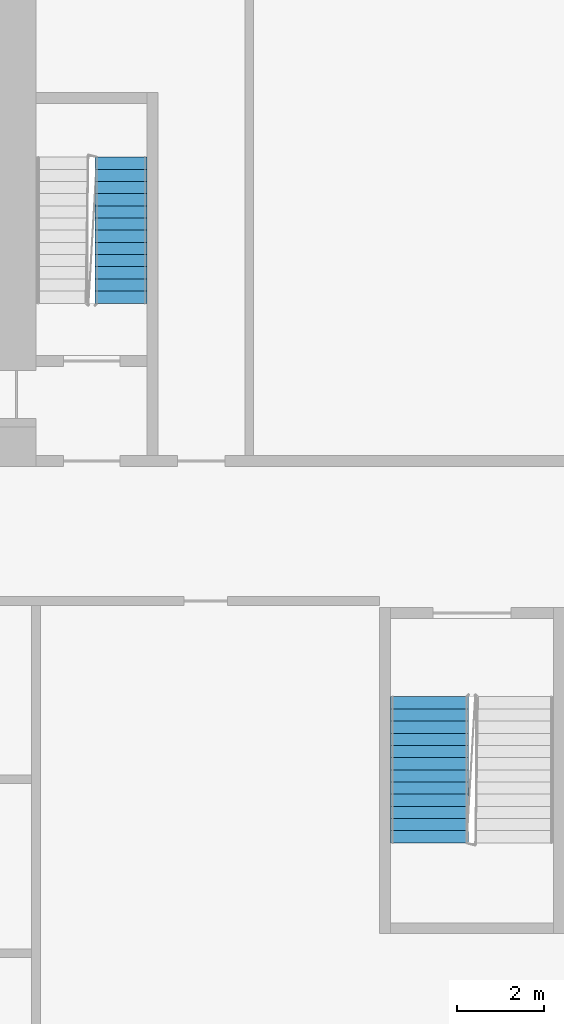
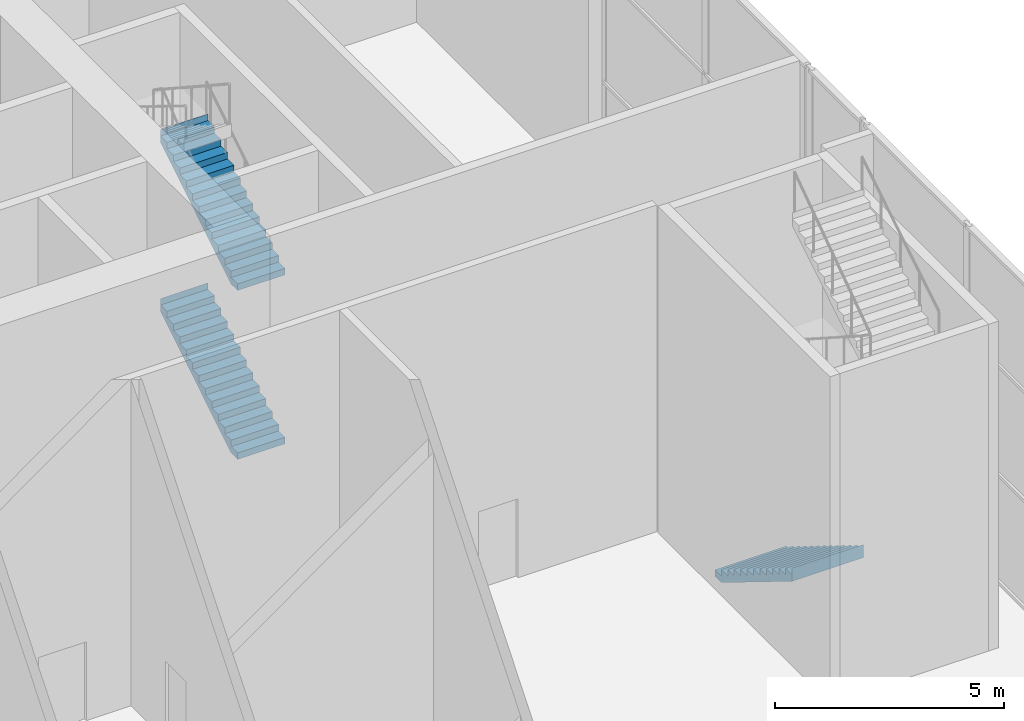
# One storey, part 19 of 24: 3 stair flights, 2 elements without a shape of their own.
"""IFC4 building model written with IfcOpenShell, lengths in metres."""

from ifc_helpers import new_model, si_unit, direction, frame, origin, place, context, subcontext, project, spatial, faceted_brep, material, type_object, element, aggregate, save


model = new_model("IFC4")

# Units and contexts
model_context = context("Model", 3, precision=1e-05, world=origin(), true_north=direction((0.0, 1.0)))
body_context = subcontext(model_context, "Body", "Model", "MODEL_VIEW")
ifc_project = project(units=[si_unit("LENGTHUNIT", "METRE"), si_unit("AREAUNIT", "SQUARE_METRE"), si_unit("VOLUMEUNIT", "CUBIC_METRE"), si_unit("PLANEANGLEUNIT", "RADIAN"), si_unit("MASSUNIT", "GRAM", prefix="KILO")], contexts=[model_context])

# Site, building, storey
site_placement = place(None, origin())
site = spatial("IfcSite", under=ifc_project, at=site_placement, CompositionType="ELEMENT")
building_placement = place(site_placement, origin())
building = spatial("IfcBuilding", under=site, at=building_placement, Name="Kajstack Hotel Tower", CompositionType="ELEMENT")
storey_placement = place(building_placement, frame((0.0, 0.0, 38.0)))
storey = spatial("IfcBuildingStorey", under=building, at=storey_placement, Name="L06", CompositionType="ELEMENT", Elevation=38.0)

# Stair, stair flight
ifc_material = material(Name="Concrete C40/50", Category="concrete")
stair_type_1 = type_object("IfcStairType", Name="Escape stair 1800", PredefinedType="HALF_TURN_STAIR", material=ifc_material)
stair_1_placement = place(storey_placement, origin())
stair_1 = element("IfcStair", 1, at=stair_1_placement, inside=storey, type_object=stair_type_1, Name="L06 stair P2", PredefinedType="HALF_TURN_STAIR")
stair_flight_type_1 = type_object("IfcStairFlightType", Name="Escape stair flight 1800", PredefinedType="STRAIGHT", material=ifc_material)
stair_flight_1_placement = place(storey_placement, frame((40.550048828125, -3.800048828125, 0.0), z_axis=(0.0, 0.0, 1.0), x_axis=(0.0, -1.0, 0.0)))
stair_flight_1 = element("IfcStairFlight", 2, at=stair_flight_1_placement, type_object=stair_flight_type_1, Name="P2 flight 1", NumberOfRisers=13, NumberOfTreads=12, PredefinedType="STRAIGHT", RiserHeight=0.173076923, TreadLength=0.28, context=body_context, shape_type="Brep", body=[
    faceted_brep([(0.28564453125, -0.89990234375, 0.0), (3.360595703125, -0.89990234375, 1.900634765625), (3.360595703125, -0.89990234375, 2.25), (3.360107421875, -0.89990234375, 2.25), (3.360107421875, -0.89990234375, 2.076904296875), (3.080078125, -0.89990234375, 2.076904296875), (3.080078125, -0.89990234375, 1.90380859375), (2.800048828125, -0.89990234375, 1.90380859375), (2.800048828125, -0.89990234375, 1.730712890625), (2.52001953125, -0.89990234375, 1.730712890625), (2.52001953125, -0.89990234375, 1.5576171875), (2.239990234375, -0.89990234375, 1.5576171875), (2.239990234375, -0.89990234375, 1.384521484375), (1.9599609375, -0.89990234375, 1.384521484375), (1.9599609375, -0.89990234375, 1.21142578125), (1.679931640625, -0.89990234375, 1.21142578125), (1.679931640625, -0.89990234375, 1.03857421875), (1.39990234375, -0.89990234375, 1.03857421875), (1.39990234375, -0.89990234375, 0.865478515625), (1.1201171875, -0.89990234375, 0.865478515625), (1.1201171875, -0.89990234375, 0.6923828125), (0.840087890625, -0.89990234375, 0.6923828125), (0.840087890625, -0.89990234375, 0.519287109375), (0.56005859375, -0.89990234375, 0.519287109375), (0.56005859375, -0.89990234375, 0.34619140625), (0.280029296875, -0.89990234375, 0.34619140625), (0.280029296875, -0.89990234375, 0.173095703125), (-0.00048828125, -0.89990234375, 0.173095703125), (-0.00048828125, -0.89990234375, 0.0), (-0.00048828125, 0.89990234375, 0.0), (-0.00048828125, 0.89990234375, 0.173095703125), (0.280029296875, 0.89990234375, 0.173095703125), (0.280029296875, 0.89990234375, 0.34619140625), (0.56005859375, 0.89990234375, 0.34619140625), (0.56005859375, 0.89990234375, 0.519287109375), (0.840087890625, 0.89990234375, 0.519287109375), (0.840087890625, 0.89990234375, 0.6923828125), (1.1201171875, 0.89990234375, 0.6923828125), (1.1201171875, 0.89990234375, 0.865478515625), (1.39990234375, 0.89990234375, 0.865478515625), (1.39990234375, 0.89990234375, 1.03857421875), (1.679931640625, 0.89990234375, 1.03857421875), (1.679931640625, 0.89990234375, 1.21142578125), (1.9599609375, 0.89990234375, 1.21142578125), (1.9599609375, 0.89990234375, 1.384521484375), (2.239990234375, 0.89990234375, 1.384521484375), (2.239990234375, 0.89990234375, 1.5576171875), (2.52001953125, 0.89990234375, 1.5576171875), (2.52001953125, 0.89990234375, 1.730712890625), (2.800048828125, 0.89990234375, 1.730712890625), (2.800048828125, 0.89990234375, 1.90380859375), (3.080078125, 0.89990234375, 1.90380859375), (3.080078125, 0.89990234375, 2.076904296875), (3.360107421875, 0.89990234375, 2.076904296875), (3.360107421875, 0.89990234375, 2.25), (3.360595703125, 0.89990234375, 2.25), (3.360595703125, 0.89990234375, 1.900634765625), (0.28564453125, 0.89990234375, 0.0), (-0.00048828125, -0.449951171875, 0.173095703125), (-0.00048828125, 0.0, 0.173095703125), (-0.00048828125, 0.449951171875, 0.173095703125), (-0.00048828125, 0.449951171875, 0.0), (-0.00048828125, 0.0, 0.0), (-0.00048828125, -0.449951171875, 0.0), (0.280029296875, -0.449951171875, 0.173095703125), (0.280029296875, 0.0, 0.173095703125), (0.280029296875, 0.449951171875, 0.173095703125), (0.280029296875, -0.449951171875, 0.34619140625), (0.280029296875, 0.0, 0.34619140625), (0.280029296875, 0.449951171875, 0.34619140625), (0.56005859375, -0.449951171875, 0.34619140625), (0.56005859375, 0.0, 0.34619140625), (0.56005859375, 0.449951171875, 0.34619140625), (0.56005859375, -0.449951171875, 0.519287109375), (0.56005859375, 0.0, 0.519287109375), (0.56005859375, 0.449951171875, 0.519287109375), (0.840087890625, -0.449951171875, 0.519287109375), (0.840087890625, 0.0, 0.519287109375), (0.840087890625, 0.449951171875, 0.519287109375), (0.840087890625, -0.449951171875, 0.6923828125), (0.840087890625, 0.0, 0.6923828125), (0.840087890625, 0.449951171875, 0.6923828125), (1.1201171875, -0.449951171875, 0.6923828125), (1.1201171875, 0.0, 0.6923828125), (1.1201171875, 0.449951171875, 0.6923828125), (1.1201171875, -0.449951171875, 0.865478515625), (1.1201171875, 0.0, 0.865478515625), (1.1201171875, 0.449951171875, 0.865478515625), (1.39990234375, -0.449951171875, 0.865478515625), (1.39990234375, 0.0, 0.865478515625), (1.39990234375, 0.449951171875, 0.865478515625), (1.39990234375, -0.449951171875, 1.03857421875), (1.39990234375, 0.0, 1.03857421875), (1.39990234375, 0.449951171875, 1.03857421875), (1.679931640625, -0.449951171875, 1.03857421875), (1.679931640625, 0.0, 1.03857421875), (1.679931640625, 0.449951171875, 1.03857421875), (1.679931640625, -0.449951171875, 1.21142578125), (1.679931640625, 0.0, 1.21142578125), (1.679931640625, 0.449951171875, 1.21142578125), (1.9599609375, -0.449951171875, 1.21142578125), (1.9599609375, 0.0, 1.21142578125), (1.9599609375, 0.449951171875, 1.21142578125), (1.9599609375, -0.449951171875, 1.384521484375), (1.9599609375, 0.0, 1.384521484375), (1.9599609375, 0.449951171875, 1.384521484375), (2.239990234375, -0.449951171875, 1.384521484375), (2.239990234375, 0.0, 1.384521484375), (2.239990234375, 0.449951171875, 1.384521484375), (2.239990234375, -0.449951171875, 1.5576171875), (2.239990234375, 0.0, 1.5576171875), (2.239990234375, 0.449951171875, 1.5576171875), (2.52001953125, -0.449951171875, 1.5576171875), (2.52001953125, 0.0, 1.5576171875), (2.52001953125, 0.449951171875, 1.5576171875), (2.52001953125, -0.449951171875, 1.730712890625), (2.52001953125, 0.0, 1.730712890625), (2.52001953125, 0.449951171875, 1.730712890625), (2.800048828125, -0.449951171875, 1.730712890625), (2.800048828125, 0.0, 1.730712890625), (2.800048828125, 0.449951171875, 1.730712890625), (2.800048828125, -0.449951171875, 1.90380859375), (2.800048828125, 0.0, 1.90380859375), (2.800048828125, 0.449951171875, 1.90380859375), (3.080078125, -0.449951171875, 1.90380859375), (3.080078125, 0.0, 1.90380859375), (3.080078125, 0.449951171875, 1.90380859375), (3.080078125, -0.449951171875, 2.076904296875), (3.080078125, 0.0, 2.076904296875), (3.080078125, 0.449951171875, 2.076904296875), (3.360107421875, -0.449951171875, 2.076904296875), (3.360107421875, 0.0, 2.076904296875), (3.360107421875, 0.449951171875, 2.076904296875), (3.360107421875, -0.449951171875, 2.25), (3.360107421875, 0.0, 2.25), (3.360107421875, 0.449951171875, 2.25), (3.360595703125, -0.449951171875, 2.25), (3.360595703125, 0.0, 2.25), (3.360595703125, 0.449951171875, 2.25), (3.360595703125, -0.449951171875, 1.900634765625), (3.360595703125, 0.0, 1.900634765625), (3.360595703125, 0.449951171875, 1.900634765625), (0.28564453125, -0.449951171875, 0.0), (0.28564453125, 0.0, 0.0), (0.28564453125, 0.449951171875, 0.0)], [[[0, 1, 2, 3, 4, 5, 6, 7, 8, 9, 10, 11, 12, 13, 14, 15, 16, 17, 18, 19, 20, 21, 22, 23, 24, 25, 26, 27, 28]], [[29, 30, 31, 32, 33, 34, 35, 36, 37, 38, 39, 40, 41, 42, 43, 44, 45, 46, 47, 48, 49, 50, 51, 52, 53, 54, 55, 56, 57]], [[27, 58, 59, 60, 30, 29, 61, 62, 63, 28]], [[26, 64, 65, 66, 31, 30, 60, 59, 58, 27]], [[25, 67, 68, 69, 32, 31, 66, 65, 64, 26]], [[24, 70, 71, 72, 33, 32, 69, 68, 67, 25]], [[23, 73, 74, 75, 34, 33, 72, 71, 70, 24]], [[22, 76, 77, 78, 35, 34, 75, 74, 73, 23]], [[21, 79, 80, 81, 36, 35, 78, 77, 76, 22]], [[20, 82, 83, 84, 37, 36, 81, 80, 79, 21]], [[19, 85, 86, 87, 38, 37, 84, 83, 82, 20]], [[18, 88, 89, 90, 39, 38, 87, 86, 85, 19]], [[17, 91, 92, 93, 40, 39, 90, 89, 88, 18]], [[16, 94, 95, 96, 41, 40, 93, 92, 91, 17]], [[15, 97, 98, 99, 42, 41, 96, 95, 94, 16]], [[14, 100, 101, 102, 43, 42, 99, 98, 97, 15]], [[13, 103, 104, 105, 44, 43, 102, 101, 100, 14]], [[12, 106, 107, 108, 45, 44, 105, 104, 103, 13]], [[11, 109, 110, 111, 46, 45, 108, 107, 106, 12]], [[10, 112, 113, 114, 47, 46, 111, 110, 109, 11]], [[9, 115, 116, 117, 48, 47, 114, 113, 112, 10]], [[8, 118, 119, 120, 49, 48, 117, 116, 115, 9]], [[7, 121, 122, 123, 50, 49, 120, 119, 118, 8]], [[6, 124, 125, 126, 51, 50, 123, 122, 121, 7]], [[5, 127, 128, 129, 52, 51, 126, 125, 124, 6]], [[4, 130, 131, 132, 53, 52, 129, 128, 127, 5]], [[3, 133, 134, 135, 54, 53, 132, 131, 130, 4]], [[2, 136, 137, 138, 55, 54, 135, 134, 133, 3]], [[1, 139, 140, 141, 56, 55, 138, 137, 136, 2]], [[0, 142, 143, 144, 57, 56, 141, 140, 139, 1]], [[28, 63, 62, 61, 29, 57, 144, 143, 142, 0]]]),
])
aggregate(stair_1, [stair_flight_1])

# Stair, stair flights
stair_type_2 = type_object("IfcStairType", Name="Exit stair 1200", PredefinedType="HALF_TURN_STAIR", material=ifc_material)
stair_2_placement = place(storey_placement, origin())
stair_2 = element("IfcStair", 3, at=stair_2_placement, inside=storey, type_object=stair_type_2, Name="L06 stair E1", PredefinedType="HALF_TURN_STAIR")
stair_flight_type_2 = type_object("IfcStairFlightType", Name="Exit stair flight 1200", PredefinedType="STRAIGHT", material=ifc_material)
stair_flight_2_placement = place(storey_placement, frame((33.449951171875, 5.25, 0.0), z_axis=(0.0, 0.0, 1.0), x_axis=(0.0, 1.0, 0.0)))
stair_flight_2 = element("IfcStairFlight", 4, at=stair_flight_2_placement, type_object=stair_flight_type_2, Name="E1 flight 1", NumberOfRisers=13, NumberOfTreads=12, PredefinedType="STRAIGHT", RiserHeight=0.173076923, TreadLength=0.28, context=body_context, shape_type="Brep", body=[
    faceted_brep([(0.28564453125, -0.60009765625, 0.0), (3.360595703125, -0.60009765625, 1.900634765625), (3.360595703125, -0.60009765625, 2.25), (3.360107421875, -0.60009765625, 2.25), (3.360107421875, -0.60009765625, 2.076904296875), (3.080078125, -0.60009765625, 2.076904296875), (3.080078125, -0.60009765625, 1.90380859375), (2.800048828125, -0.60009765625, 1.90380859375), (2.800048828125, -0.60009765625, 1.730712890625), (2.52001953125, -0.60009765625, 1.730712890625), (2.52001953125, -0.60009765625, 1.5576171875), (2.239990234375, -0.60009765625, 1.5576171875), (2.239990234375, -0.60009765625, 1.384521484375), (1.9599609375, -0.60009765625, 1.384521484375), (1.9599609375, -0.60009765625, 1.21142578125), (1.679931640625, -0.60009765625, 1.21142578125), (1.679931640625, -0.60009765625, 1.03857421875), (1.39990234375, -0.60009765625, 1.03857421875), (1.39990234375, -0.60009765625, 0.865478515625), (1.1201171875, -0.60009765625, 0.865478515625), (1.1201171875, -0.60009765625, 0.6923828125), (0.840087890625, -0.60009765625, 0.6923828125), (0.840087890625, -0.60009765625, 0.519287109375), (0.56005859375, -0.60009765625, 0.519287109375), (0.56005859375, -0.60009765625, 0.34619140625), (0.280029296875, -0.60009765625, 0.34619140625), (0.280029296875, -0.60009765625, 0.173095703125), (-0.00048828125, -0.60009765625, 0.173095703125), (-0.00048828125, -0.60009765625, 0.0), (-0.00048828125, 0.60009765625, 0.0), (-0.00048828125, 0.60009765625, 0.173095703125), (0.280029296875, 0.60009765625, 0.173095703125), (0.280029296875, 0.60009765625, 0.34619140625), (0.56005859375, 0.60009765625, 0.34619140625), (0.56005859375, 0.60009765625, 0.519287109375), (0.840087890625, 0.60009765625, 0.519287109375), (0.840087890625, 0.60009765625, 0.6923828125), (1.1201171875, 0.60009765625, 0.6923828125), (1.1201171875, 0.60009765625, 0.865478515625), (1.39990234375, 0.60009765625, 0.865478515625), (1.39990234375, 0.60009765625, 1.03857421875), (1.679931640625, 0.60009765625, 1.03857421875), (1.679931640625, 0.60009765625, 1.21142578125), (1.9599609375, 0.60009765625, 1.21142578125), (1.9599609375, 0.60009765625, 1.384521484375), (2.239990234375, 0.60009765625, 1.384521484375), (2.239990234375, 0.60009765625, 1.5576171875), (2.52001953125, 0.60009765625, 1.5576171875), (2.52001953125, 0.60009765625, 1.730712890625), (2.800048828125, 0.60009765625, 1.730712890625), (2.800048828125, 0.60009765625, 1.90380859375), (3.080078125, 0.60009765625, 1.90380859375), (3.080078125, 0.60009765625, 2.076904296875), (3.360107421875, 0.60009765625, 2.076904296875), (3.360107421875, 0.60009765625, 2.25), (3.360595703125, 0.60009765625, 2.25), (3.360595703125, 0.60009765625, 1.900634765625), (0.28564453125, 0.60009765625, 0.0), (-0.00048828125, -0.300048828125, 0.173095703125), (-0.00048828125, 0.0, 0.173095703125), (-0.00048828125, 0.300048828125, 0.173095703125), (-0.00048828125, 0.300048828125, 0.0), (-0.00048828125, 0.0, 0.0), (-0.00048828125, -0.300048828125, 0.0), (0.280029296875, -0.300048828125, 0.173095703125), (0.280029296875, 0.0, 0.173095703125), (0.280029296875, 0.300048828125, 0.173095703125), (0.280029296875, -0.300048828125, 0.34619140625), (0.280029296875, 0.0, 0.34619140625), (0.280029296875, 0.300048828125, 0.34619140625), (0.56005859375, -0.300048828125, 0.34619140625), (0.56005859375, 0.0, 0.34619140625), (0.56005859375, 0.300048828125, 0.34619140625), (0.56005859375, -0.300048828125, 0.519287109375), (0.56005859375, 0.0, 0.519287109375), (0.56005859375, 0.300048828125, 0.519287109375), (0.840087890625, -0.300048828125, 0.519287109375), (0.840087890625, 0.0, 0.519287109375), (0.840087890625, 0.300048828125, 0.519287109375), (0.840087890625, -0.300048828125, 0.6923828125), (0.840087890625, 0.0, 0.6923828125), (0.840087890625, 0.300048828125, 0.6923828125), (1.1201171875, -0.300048828125, 0.6923828125), (1.1201171875, 0.0, 0.6923828125), (1.1201171875, 0.300048828125, 0.6923828125), (1.1201171875, -0.300048828125, 0.865478515625), (1.1201171875, 0.0, 0.865478515625), (1.1201171875, 0.300048828125, 0.865478515625), (1.39990234375, -0.300048828125, 0.865478515625), (1.39990234375, 0.0, 0.865478515625), (1.39990234375, 0.300048828125, 0.865478515625), (1.39990234375, -0.300048828125, 1.03857421875), (1.39990234375, 0.0, 1.03857421875), (1.39990234375, 0.300048828125, 1.03857421875), (1.679931640625, -0.300048828125, 1.03857421875), (1.679931640625, 0.0, 1.03857421875), (1.679931640625, 0.300048828125, 1.03857421875), (1.679931640625, -0.300048828125, 1.21142578125), (1.679931640625, 0.0, 1.21142578125), (1.679931640625, 0.300048828125, 1.21142578125), (1.9599609375, -0.300048828125, 1.21142578125), (1.9599609375, 0.0, 1.21142578125), (1.9599609375, 0.300048828125, 1.21142578125), (1.9599609375, -0.300048828125, 1.384521484375), (1.9599609375, 0.0, 1.384521484375), (1.9599609375, 0.300048828125, 1.384521484375), (2.239990234375, -0.300048828125, 1.384521484375), (2.239990234375, 0.0, 1.384521484375), (2.239990234375, 0.300048828125, 1.384521484375), (2.239990234375, -0.300048828125, 1.5576171875), (2.239990234375, 0.0, 1.5576171875), (2.239990234375, 0.300048828125, 1.5576171875), (2.52001953125, -0.300048828125, 1.5576171875), (2.52001953125, 0.0, 1.5576171875), (2.52001953125, 0.300048828125, 1.5576171875), (2.52001953125, -0.300048828125, 1.730712890625), (2.52001953125, 0.0, 1.730712890625), (2.52001953125, 0.300048828125, 1.730712890625), (2.800048828125, -0.300048828125, 1.730712890625), (2.800048828125, 0.0, 1.730712890625), (2.800048828125, 0.300048828125, 1.730712890625), (2.800048828125, -0.300048828125, 1.90380859375), (2.800048828125, 0.0, 1.90380859375), (2.800048828125, 0.300048828125, 1.90380859375), (3.080078125, -0.300048828125, 1.90380859375), (3.080078125, 0.0, 1.90380859375), (3.080078125, 0.300048828125, 1.90380859375), (3.080078125, -0.300048828125, 2.076904296875), (3.080078125, 0.0, 2.076904296875), (3.080078125, 0.300048828125, 2.076904296875), (3.360107421875, -0.300048828125, 2.076904296875), (3.360107421875, 0.0, 2.076904296875), (3.360107421875, 0.300048828125, 2.076904296875), (3.360107421875, -0.300048828125, 2.25), (3.360107421875, 0.0, 2.25), (3.360107421875, 0.300048828125, 2.25), (3.360595703125, -0.300048828125, 2.25), (3.360595703125, 0.0, 2.25), (3.360595703125, 0.300048828125, 2.25), (3.360595703125, -0.300048828125, 1.900634765625), (3.360595703125, 0.0, 1.900634765625), (3.360595703125, 0.300048828125, 1.900634765625), (0.28564453125, -0.300048828125, 0.0), (0.28564453125, 0.0, 0.0), (0.28564453125, 0.300048828125, 0.0)], [[[0, 1, 2, 3, 4, 5, 6, 7, 8, 9, 10, 11, 12, 13, 14, 15, 16, 17, 18, 19, 20, 21, 22, 23, 24, 25, 26, 27, 28]], [[29, 30, 31, 32, 33, 34, 35, 36, 37, 38, 39, 40, 41, 42, 43, 44, 45, 46, 47, 48, 49, 50, 51, 52, 53, 54, 55, 56, 57]], [[27, 58, 59, 60, 30, 29, 61, 62, 63, 28]], [[26, 64, 65, 66, 31, 30, 60, 59, 58, 27]], [[25, 67, 68, 69, 32, 31, 66, 65, 64, 26]], [[24, 70, 71, 72, 33, 32, 69, 68, 67, 25]], [[23, 73, 74, 75, 34, 33, 72, 71, 70, 24]], [[22, 76, 77, 78, 35, 34, 75, 74, 73, 23]], [[21, 79, 80, 81, 36, 35, 78, 77, 76, 22]], [[20, 82, 83, 84, 37, 36, 81, 80, 79, 21]], [[19, 85, 86, 87, 38, 37, 84, 83, 82, 20]], [[18, 88, 89, 90, 39, 38, 87, 86, 85, 19]], [[17, 91, 92, 93, 40, 39, 90, 89, 88, 18]], [[16, 94, 95, 96, 41, 40, 93, 92, 91, 17]], [[15, 97, 98, 99, 42, 41, 96, 95, 94, 16]], [[14, 100, 101, 102, 43, 42, 99, 98, 97, 15]], [[13, 103, 104, 105, 44, 43, 102, 101, 100, 14]], [[12, 106, 107, 108, 45, 44, 105, 104, 103, 13]], [[11, 109, 110, 111, 46, 45, 108, 107, 106, 12]], [[10, 112, 113, 114, 47, 46, 111, 110, 109, 11]], [[9, 115, 116, 117, 48, 47, 114, 113, 112, 10]], [[8, 118, 119, 120, 49, 48, 117, 116, 115, 9]], [[7, 121, 122, 123, 50, 49, 120, 119, 118, 8]], [[6, 124, 125, 126, 51, 50, 123, 122, 121, 7]], [[5, 127, 128, 129, 52, 51, 126, 125, 124, 6]], [[4, 130, 131, 132, 53, 52, 129, 128, 127, 5]], [[3, 133, 134, 135, 54, 53, 132, 131, 130, 4]], [[2, 136, 137, 138, 55, 54, 135, 134, 133, 3]], [[1, 139, 140, 141, 56, 55, 138, 137, 136, 2]], [[0, 142, 143, 144, 57, 56, 141, 140, 139, 1]], [[28, 63, 62, 61, 29, 57, 144, 143, 142, 0]]]),
])
stair_flight_3_placement = place(storey_placement, frame((33.449951171875, 5.25, 4.5), z_axis=(0.0, 0.0, 1.0), x_axis=(0.0, 1.0, 0.0)))
stair_flight_3 = element("IfcStairFlight", 5, at=stair_flight_3_placement, type_object=stair_flight_type_2, Name="E1 flight 3", NumberOfRisers=13, NumberOfTreads=12, PredefinedType="STRAIGHT", RiserHeight=0.173076923, TreadLength=0.28, context=body_context, shape_type="Brep", body=[
    faceted_brep([(0.28564453125, -0.60009765625, 0.0), (3.360595703125, -0.60009765625, 1.900634765625), (3.360595703125, -0.60009765625, 2.25), (3.360107421875, -0.60009765625, 2.25), (3.360107421875, -0.60009765625, 2.076904296875), (3.080078125, -0.60009765625, 2.076904296875), (3.080078125, -0.60009765625, 1.90380859375), (2.800048828125, -0.60009765625, 1.90380859375), (2.800048828125, -0.60009765625, 1.730712890625), (2.52001953125, -0.60009765625, 1.730712890625), (2.52001953125, -0.60009765625, 1.5576171875), (2.239990234375, -0.60009765625, 1.5576171875), (2.239990234375, -0.60009765625, 1.384521484375), (1.9599609375, -0.60009765625, 1.384521484375), (1.9599609375, -0.60009765625, 1.21142578125), (1.679931640625, -0.60009765625, 1.21142578125), (1.679931640625, -0.60009765625, 1.03857421875), (1.39990234375, -0.60009765625, 1.03857421875), (1.39990234375, -0.60009765625, 0.865478515625), (1.1201171875, -0.60009765625, 0.865478515625), (1.1201171875, -0.60009765625, 0.6923828125), (0.840087890625, -0.60009765625, 0.6923828125), (0.840087890625, -0.60009765625, 0.519287109375), (0.56005859375, -0.60009765625, 0.519287109375), (0.56005859375, -0.60009765625, 0.34619140625), (0.280029296875, -0.60009765625, 0.34619140625), (0.280029296875, -0.60009765625, 0.173095703125), (-0.00048828125, -0.60009765625, 0.173095703125), (-0.00048828125, -0.60009765625, 0.0), (-0.00048828125, 0.60009765625, 0.0), (-0.00048828125, 0.60009765625, 0.173095703125), (0.280029296875, 0.60009765625, 0.173095703125), (0.280029296875, 0.60009765625, 0.34619140625), (0.56005859375, 0.60009765625, 0.34619140625), (0.56005859375, 0.60009765625, 0.519287109375), (0.840087890625, 0.60009765625, 0.519287109375), (0.840087890625, 0.60009765625, 0.6923828125), (1.1201171875, 0.60009765625, 0.6923828125), (1.1201171875, 0.60009765625, 0.865478515625), (1.39990234375, 0.60009765625, 0.865478515625), (1.39990234375, 0.60009765625, 1.03857421875), (1.679931640625, 0.60009765625, 1.03857421875), (1.679931640625, 0.60009765625, 1.21142578125), (1.9599609375, 0.60009765625, 1.21142578125), (1.9599609375, 0.60009765625, 1.384521484375), (2.239990234375, 0.60009765625, 1.384521484375), (2.239990234375, 0.60009765625, 1.5576171875), (2.52001953125, 0.60009765625, 1.5576171875), (2.52001953125, 0.60009765625, 1.730712890625), (2.800048828125, 0.60009765625, 1.730712890625), (2.800048828125, 0.60009765625, 1.90380859375), (3.080078125, 0.60009765625, 1.90380859375), (3.080078125, 0.60009765625, 2.076904296875), (3.360107421875, 0.60009765625, 2.076904296875), (3.360107421875, 0.60009765625, 2.25), (3.360595703125, 0.60009765625, 2.25), (3.360595703125, 0.60009765625, 1.900634765625), (0.28564453125, 0.60009765625, 0.0), (-0.00048828125, -0.300048828125, 0.173095703125), (-0.00048828125, 0.0, 0.173095703125), (-0.00048828125, 0.300048828125, 0.173095703125), (-0.00048828125, 0.300048828125, 0.0), (-0.00048828125, 0.0, 0.0), (-0.00048828125, -0.300048828125, 0.0), (0.280029296875, -0.300048828125, 0.173095703125), (0.280029296875, 0.0, 0.173095703125), (0.280029296875, 0.300048828125, 0.173095703125), (0.280029296875, -0.300048828125, 0.34619140625), (0.280029296875, 0.0, 0.34619140625), (0.280029296875, 0.300048828125, 0.34619140625), (0.56005859375, -0.300048828125, 0.34619140625), (0.56005859375, 0.0, 0.34619140625), (0.56005859375, 0.300048828125, 0.34619140625), (0.56005859375, -0.300048828125, 0.519287109375), (0.56005859375, 0.0, 0.519287109375), (0.56005859375, 0.300048828125, 0.519287109375), (0.840087890625, -0.300048828125, 0.519287109375), (0.840087890625, 0.0, 0.519287109375), (0.840087890625, 0.300048828125, 0.519287109375), (0.840087890625, -0.300048828125, 0.6923828125), (0.840087890625, 0.0, 0.6923828125), (0.840087890625, 0.300048828125, 0.6923828125), (1.1201171875, -0.300048828125, 0.6923828125), (1.1201171875, 0.0, 0.6923828125), (1.1201171875, 0.300048828125, 0.6923828125), (1.1201171875, -0.300048828125, 0.865478515625), (1.1201171875, 0.0, 0.865478515625), (1.1201171875, 0.300048828125, 0.865478515625), (1.39990234375, -0.300048828125, 0.865478515625), (1.39990234375, 0.0, 0.865478515625), (1.39990234375, 0.300048828125, 0.865478515625), (1.39990234375, -0.300048828125, 1.03857421875), (1.39990234375, 0.0, 1.03857421875), (1.39990234375, 0.300048828125, 1.03857421875), (1.679931640625, -0.300048828125, 1.03857421875), (1.679931640625, 0.0, 1.03857421875), (1.679931640625, 0.300048828125, 1.03857421875), (1.679931640625, -0.300048828125, 1.21142578125), (1.679931640625, 0.0, 1.21142578125), (1.679931640625, 0.300048828125, 1.21142578125), (1.9599609375, -0.300048828125, 1.21142578125), (1.9599609375, 0.0, 1.21142578125), (1.9599609375, 0.300048828125, 1.21142578125), (1.9599609375, -0.300048828125, 1.384521484375), (1.9599609375, 0.0, 1.384521484375), (1.9599609375, 0.300048828125, 1.384521484375), (2.239990234375, -0.300048828125, 1.384521484375), (2.239990234375, 0.0, 1.384521484375), (2.239990234375, 0.300048828125, 1.384521484375), (2.239990234375, -0.300048828125, 1.5576171875), (2.239990234375, 0.0, 1.5576171875), (2.239990234375, 0.300048828125, 1.5576171875), (2.52001953125, -0.300048828125, 1.5576171875), (2.52001953125, 0.0, 1.5576171875), (2.52001953125, 0.300048828125, 1.5576171875), (2.52001953125, -0.300048828125, 1.730712890625), (2.52001953125, 0.0, 1.730712890625), (2.52001953125, 0.300048828125, 1.730712890625), (2.800048828125, -0.300048828125, 1.730712890625), (2.800048828125, 0.0, 1.730712890625), (2.800048828125, 0.300048828125, 1.730712890625), (2.800048828125, -0.300048828125, 1.90380859375), (2.800048828125, 0.0, 1.90380859375), (2.800048828125, 0.300048828125, 1.90380859375), (3.080078125, -0.300048828125, 1.90380859375), (3.080078125, 0.0, 1.90380859375), (3.080078125, 0.300048828125, 1.90380859375), (3.080078125, -0.300048828125, 2.076904296875), (3.080078125, 0.0, 2.076904296875), (3.080078125, 0.300048828125, 2.076904296875), (3.360107421875, -0.300048828125, 2.076904296875), (3.360107421875, 0.0, 2.076904296875), (3.360107421875, 0.300048828125, 2.076904296875), (3.360107421875, -0.300048828125, 2.25), (3.360107421875, 0.0, 2.25), (3.360107421875, 0.300048828125, 2.25), (3.360595703125, -0.300048828125, 2.25), (3.360595703125, 0.0, 2.25), (3.360595703125, 0.300048828125, 2.25), (3.360595703125, -0.300048828125, 1.900634765625), (3.360595703125, 0.0, 1.900634765625), (3.360595703125, 0.300048828125, 1.900634765625), (0.28564453125, -0.300048828125, 0.0), (0.28564453125, 0.0, 0.0), (0.28564453125, 0.300048828125, 0.0)], [[[0, 1, 2, 3, 4, 5, 6, 7, 8, 9, 10, 11, 12, 13, 14, 15, 16, 17, 18, 19, 20, 21, 22, 23, 24, 25, 26, 27, 28]], [[29, 30, 31, 32, 33, 34, 35, 36, 37, 38, 39, 40, 41, 42, 43, 44, 45, 46, 47, 48, 49, 50, 51, 52, 53, 54, 55, 56, 57]], [[27, 58, 59, 60, 30, 29, 61, 62, 63, 28]], [[26, 64, 65, 66, 31, 30, 60, 59, 58, 27]], [[25, 67, 68, 69, 32, 31, 66, 65, 64, 26]], [[24, 70, 71, 72, 33, 32, 69, 68, 67, 25]], [[23, 73, 74, 75, 34, 33, 72, 71, 70, 24]], [[22, 76, 77, 78, 35, 34, 75, 74, 73, 23]], [[21, 79, 80, 81, 36, 35, 78, 77, 76, 22]], [[20, 82, 83, 84, 37, 36, 81, 80, 79, 21]], [[19, 85, 86, 87, 38, 37, 84, 83, 82, 20]], [[18, 88, 89, 90, 39, 38, 87, 86, 85, 19]], [[17, 91, 92, 93, 40, 39, 90, 89, 88, 18]], [[16, 94, 95, 96, 41, 40, 93, 92, 91, 17]], [[15, 97, 98, 99, 42, 41, 96, 95, 94, 16]], [[14, 100, 101, 102, 43, 42, 99, 98, 97, 15]], [[13, 103, 104, 105, 44, 43, 102, 101, 100, 14]], [[12, 106, 107, 108, 45, 44, 105, 104, 103, 13]], [[11, 109, 110, 111, 46, 45, 108, 107, 106, 12]], [[10, 112, 113, 114, 47, 46, 111, 110, 109, 11]], [[9, 115, 116, 117, 48, 47, 114, 113, 112, 10]], [[8, 118, 119, 120, 49, 48, 117, 116, 115, 9]], [[7, 121, 122, 123, 50, 49, 120, 119, 118, 8]], [[6, 124, 125, 126, 51, 50, 123, 122, 121, 7]], [[5, 127, 128, 129, 52, 51, 126, 125, 124, 6]], [[4, 130, 131, 132, 53, 52, 129, 128, 127, 5]], [[3, 133, 134, 135, 54, 53, 132, 131, 130, 4]], [[2, 136, 137, 138, 55, 54, 135, 134, 133, 3]], [[1, 139, 140, 141, 56, 55, 138, 137, 136, 2]], [[0, 142, 143, 144, 57, 56, 141, 140, 139, 1]], [[28, 63, 62, 61, 29, 57, 144, 143, 142, 0]]]),
])
aggregate(stair_2, [stair_flight_2, stair_flight_3])

save(model, "model.ifc")
